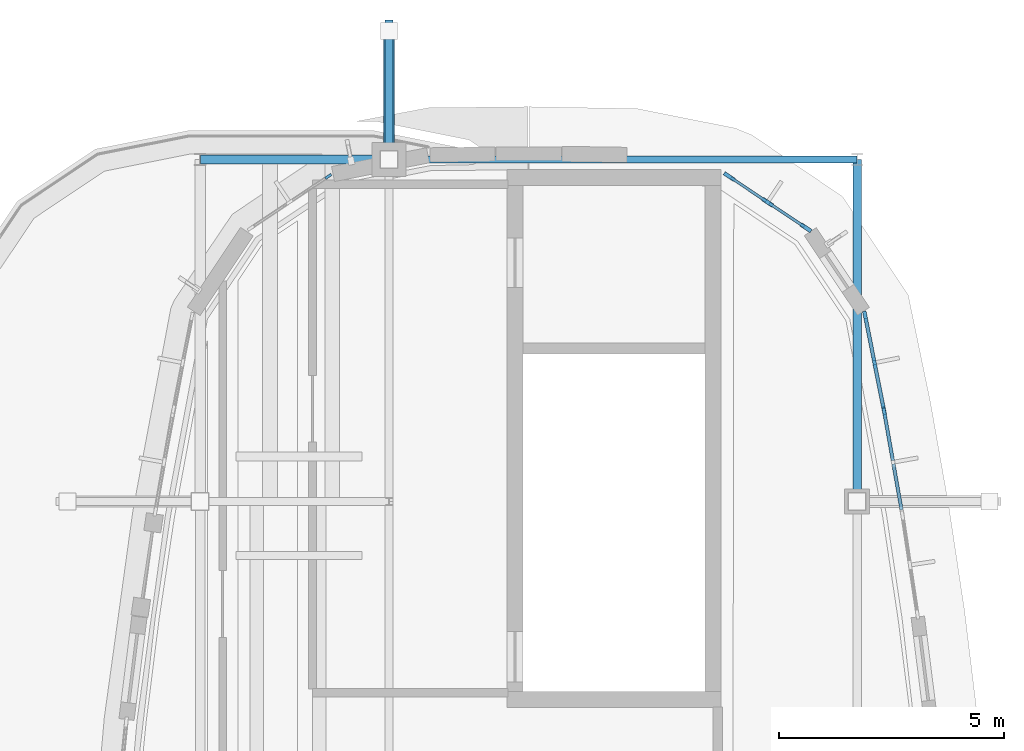
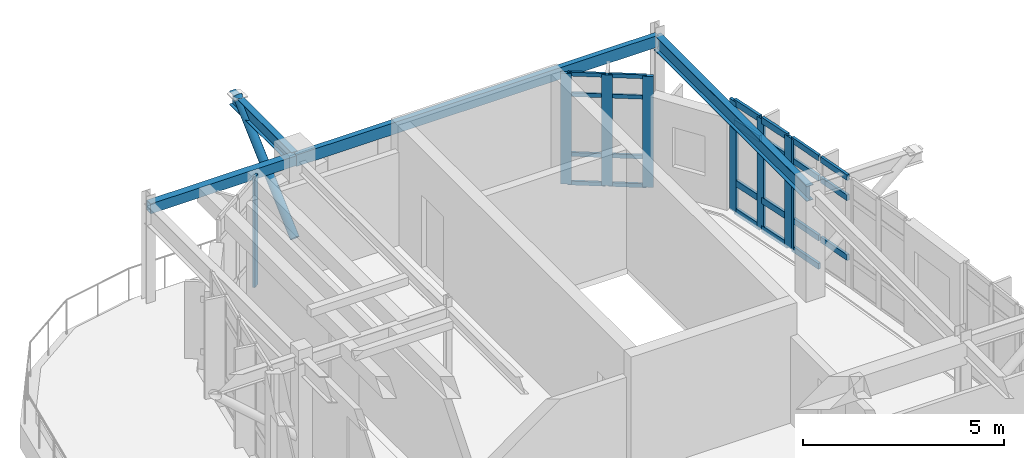
# One storey, part 11 of 20: 32 members, 4 beams, 4 elements without a shape of their own.
"""IFC4 building model written with IfcOpenShell, lengths in metres."""

from ifc_helpers import new_model, si_unit, direction, frame, origin, origin_2d, place, context, subcontext, project, spatial, rectangle, hollow_rectangle, hollow_circle, i_section, extrude, material, material_profile, profile_set, type_object, element, aggregate, save


model = new_model("IFC4")

# Units and contexts
model_context = context("Model", 3, precision=1e-05, world=origin(), true_north=direction((0.0, 1.0)))
body_context = subcontext(model_context, "Body", "Model", "MODEL_VIEW")
ifc_project = project(units=[si_unit("LENGTHUNIT", "METRE"), si_unit("AREAUNIT", "SQUARE_METRE"), si_unit("VOLUMEUNIT", "CUBIC_METRE"), si_unit("PLANEANGLEUNIT", "RADIAN"), si_unit("MASSUNIT", "GRAM", prefix="KILO")], contexts=[model_context])

# Site, building, storey
site_placement = place(None, origin())
site = spatial("IfcSite", under=ifc_project, at=site_placement, CompositionType="ELEMENT")
building_placement = place(site_placement, origin())
building = spatial("IfcBuilding", under=site, at=building_placement, Name="Corveleigh Park Community Centre", CompositionType="ELEMENT")
storey_placement = place(building_placement, frame((0.0, 0.0, 19.800048828125)))
storey = spatial("IfcBuildingStorey", under=building, at=storey_placement, Name="L05", CompositionType="ELEMENT", Elevation=19.800048828125)

# Beams
ifc_material_1 = material(Name="Steel S355", Category="steel")
ifc_material_profile_1 = material_profile(ifc_material_1, i_section(OverallWidth=0.1787109375, OverallDepth=0.409423828125, WebThickness=0.0087890625, FlangeThickness=0.014404296875, at=origin_2d()), Name="UKB 406x178x67", Category="steel")
ifc_profile_set_1 = profile_set([ifc_material_profile_1], Name="Steel S355")
beam_type_1 = type_object("IfcBeamType", Name="BM-STL-UKB406x67", PredefinedType="BEAM", material=ifc_profile_set_1)
beam_1_placement = place(storey_placement, frame((158.0, 104.2099609375, 3.1591796875), z_axis=(0.0, 1.0, 0.0), x_axis=(-1.0, 0.0, 0.0)))
element("IfcBeam", 1, at=beam_1_placement, inside=storey, type_object=beam_type_1, Name="V4 Crown End Overhang Strut X6Y6 Outrigger", PredefinedType="BEAM", context=body_context, shape_type="SweptSolid", body=[
    extrude(i_section(OverallWidth=0.1787109375, OverallDepth=0.409423828125, WebThickness=0.0087890625, FlangeThickness=0.014404296875, at=origin_2d()), origin(), (0.0, 0.0, 1.0), 3.090087890625),
])
ifc_material_profile_2 = material_profile(ifc_material_1, i_section(OverallWidth=0.19140625, OverallDepth=0.4599609375, WebThickness=0.010009765625, FlangeThickness=0.01611328125, at=origin_2d()), Name="UKB 457x191x82", Category="steel")
ifc_profile_set_2 = profile_set([ifc_material_profile_2], Name="Steel S355")
beam_type_2 = type_object("IfcBeamType", Name="BM-STL-UKB457x82", PredefinedType="BEAM", material=ifc_profile_set_2)
beam_2_placement = place(storey_placement, frame((168.39990234375, 96.60498046875, 3.08203125), z_axis=(0.0, 1.0, 0.0), x_axis=(-1.0, 0.0, 0.0)))
element("IfcBeam", 2, at=beam_2_placement, inside=storey, type_object=beam_type_2, Name="V4 Girder Y", PredefinedType="BEAM", context=body_context, shape_type="SweptSolid", body=[
    extrude(i_section(OverallWidth=0.19140625, OverallDepth=0.4599609375, WebThickness=0.010009765625, FlangeThickness=0.01611328125, at=origin_2d()), origin(), (0.0, 0.0, 1.0), 7.590087890625),
])

# Curtain wall, member
ifc_material_2 = material(Name="Anodised aluminium 6063-T6", Category="aluminium")
curtain_wall_type = type_object("IfcCurtainWallType", Name="CW-SYS-V4-L03", PredefinedType="NOTDEFINED", material=ifc_material_2)
curtain_wall_1_placement = place(storey_placement, origin())
curtain_wall_1 = element("IfcCurtainWall", 3, at=curtain_wall_1_placement, inside=storey, type_object=curtain_wall_type, Name="V4 L05 Curtain Wall 487", PredefinedType="NOTDEFINED")
ifc_material_profile_3 = material_profile(ifc_material_2, rectangle(XDim=0.06005859375, YDim=0.159912109375, at=origin_2d()), Name="ALU-M60x160", Category="aluminium")
ifc_profile_set_3 = profile_set([ifc_material_profile_3], Name="Anodised aluminium 6063-T6")
member_type_1 = type_object("IfcMemberType", Name="CWM-60x160", PredefinedType="MULLION", material=ifc_profile_set_3)
member_1_placement = place(storey_placement, frame((156.649169921875, 103.825439453125, 0.0), z_axis=(0.0, 0.0, 1.0), x_axis=(-0.555458443376, 0.831544296886, 0.0)))
member_1 = element("IfcMember", 4, at=member_1_placement, type_object=member_type_1, Name="CW09 mullion 3", PredefinedType="MULLION", context=body_context, shape_type="SweptSolid", body=[
    extrude(rectangle(XDim=0.06005859375, YDim=0.159912109375, at=origin_2d()), origin(), (0.0, 0.0, 1.0), 3.364013671875),
])
aggregate(curtain_wall_1, [member_1])

curtain_wall_2_placement = place(storey_placement, origin())
curtain_wall_2 = element("IfcCurtainWall", 5, at=curtain_wall_2_placement, inside=storey, type_object=curtain_wall_type, Name="V4 L05 Curtain Wall 484", PredefinedType="NOTDEFINED")
ifc_material_profile_4 = material_profile(ifc_material_2, rectangle(XDim=0.074951171875, YDim=0.219970703125, at=origin_2d()), Name="ALU-M75x220", Category="aluminium")
ifc_profile_set_4 = profile_set([ifc_material_profile_4], Name="Anodised aluminium 6063-T6")
member_type_2 = type_object("IfcMemberType", Name="CWM-75x220", PredefinedType="MULLION", material=ifc_profile_set_4)
member_2_placement = place(storey_placement, frame((169.007568359375, 98.567138671875, 0.0), z_axis=(0.0, 0.0, 1.0), x_axis=(0.984735333655, 0.174058388626, 0.0)))
member_2 = element("IfcMember", 6, at=member_2_placement, type_object=member_type_2, Name="CW09 mullion 1", PredefinedType="MULLION", context=body_context, shape_type="SweptSolid", body=[
    extrude(rectangle(XDim=0.074951171875, YDim=0.219970703125, at=origin_2d()), origin(), (0.0, 0.0, 1.0), 3.364013671875),
])

# Curtain wall, members
curtain_wall_3_placement = place(storey_placement, origin())
curtain_wall_3 = element("IfcCurtainWall", 7, at=curtain_wall_3_placement, inside=storey, type_object=curtain_wall_type, Name="V4 L05 Curtain Wall 485", PredefinedType="NOTDEFINED")
ifc_material_profile_5 = material_profile(ifc_material_2, rectangle(XDim=0.080078125, YDim=0.25, at=origin_2d()), Name="ALU-M80x250", Category="aluminium")
ifc_profile_set_5 = profile_set([ifc_material_profile_5], Name="Anodised aluminium 6063-T6")
member_type_3 = type_object("IfcMemberType", Name="CWM-80x250", PredefinedType="MULLION", material=ifc_profile_set_5)
member_3_placement = place(storey_placement, frame((168.583740234375, 100.705810546875, 0.0), z_axis=(0.0, 0.0, 1.0), x_axis=(0.980846064785, 0.194784489103, 0.0)))
member_3 = element("IfcMember", 8, at=member_3_placement, type_object=member_type_3, Name="CW09 mullion 1", PredefinedType="MULLION", context=body_context, shape_type="SweptSolid", body=[
    extrude(rectangle(XDim=0.080078125, YDim=0.25, at=origin_2d()), origin(), (0.0, 0.0, 1.0), 3.364013671875),
])
member_4_placement = place(storey_placement, frame((168.787109375, 99.6826171875, 0.0), z_axis=(0.0, 0.0, 1.0), x_axis=(0.980846064785, 0.194784489103, 0.0)))
member_4 = element("IfcMember", 9, at=member_4_placement, type_object=member_type_3, Name="CW09 mullion 2", PredefinedType="MULLION", context=body_context, shape_type="SweptSolid", body=[
    extrude(rectangle(XDim=0.080078125, YDim=0.25, at=origin_2d()), origin(), (0.0, 0.0, 1.0), 3.364013671875),
])
member_5_placement = place(storey_placement, frame((168.990234375, 98.6591796875, 0.0), z_axis=(0.0, 0.0, 1.0), x_axis=(0.980846064785, 0.194784489103, 0.0)))
member_5 = element("IfcMember", 10, at=member_5_placement, type_object=member_type_3, Name="CW09 mullion 3", PredefinedType="MULLION", context=body_context, shape_type="SweptSolid", body=[
    extrude(rectangle(XDim=0.080078125, YDim=0.25, at=origin_2d()), origin(), (0.0, 0.0, 1.0), 3.364013671875),
])

curtain_wall_4_placement = place(storey_placement, origin())
curtain_wall_4 = element("IfcCurtainWall", 11, at=curtain_wall_4_placement, inside=storey, type_object=curtain_wall_type, Name="V4 L05 Curtain Wall 486", PredefinedType="NOTDEFINED")
ifc_material_profile_6 = material_profile(ifc_material_2, rectangle(XDim=0.0849609375, YDim=0.27490234375, at=origin_2d()), Name="ALU-M85x275", Category="aluminium")
ifc_profile_set_6 = profile_set([ifc_material_profile_6], Name="Anodised aluminium 6063-T6")
member_type_4 = type_object("IfcMemberType", Name="CWM-85x275", PredefinedType="MULLION", material=ifc_profile_set_6)
member_6_placement = place(storey_placement, frame((165.561279296875, 103.818359375, 0.0), z_axis=(0.0, 0.0, 1.0), x_axis=(0.555458443376, 0.831544296886, 0.0)))
member_6 = element("IfcMember", 12, at=member_6_placement, type_object=member_type_4, Name="CW09 mullion 1", PredefinedType="MULLION", context=body_context, shape_type="SweptSolid", body=[
    extrude(rectangle(XDim=0.0849609375, YDim=0.27490234375, at=origin_2d()), origin(), (0.0, 0.0, 1.0), 3.364013671875),
])
member_7_placement = place(storey_placement, frame((166.41162109375, 103.25048828125, 0.0), z_axis=(0.0, 0.0, 1.0), x_axis=(0.555458443376, 0.831544296886, 0.0)))
member_7 = element("IfcMember", 13, at=member_7_placement, type_object=member_type_4, Name="CW09 mullion 2", PredefinedType="MULLION", context=body_context, shape_type="SweptSolid", body=[
    extrude(rectangle(XDim=0.0849609375, YDim=0.27490234375, at=origin_2d()), origin(), (0.0, 0.0, 1.0), 3.364013671875),
])
member_8_placement = place(storey_placement, frame((167.26171875, 102.6826171875, 0.0), z_axis=(0.0, 0.0, 1.0), x_axis=(0.555458443376, 0.831544296886, 0.0)))
member_8 = element("IfcMember", 14, at=member_8_placement, type_object=member_type_4, Name="CW09 mullion 3", PredefinedType="MULLION", context=body_context, shape_type="SweptSolid", body=[
    extrude(rectangle(XDim=0.0849609375, YDim=0.27490234375, at=origin_2d()), origin(), (0.0, 0.0, 1.0), 3.364013671875),
])
ifc_material_profile_7 = material_profile(ifc_material_2, rectangle(XDim=0.06005859375, YDim=0.1201171875, at=origin_2d()), Name="ALU-T60x120", Category="aluminium")
ifc_profile_set_7 = profile_set([ifc_material_profile_7], Name="Anodised aluminium 6063-T6")
member_type_5 = type_object("IfcMemberType", Name="CWT-60x120", PredefinedType="USERDEFINED", material=ifc_profile_set_7)
member_9_placement = place(storey_placement, frame((165.5966796875, 103.794677734375, 0.030029296875), z_axis=(0.831649369262, -0.555301113457, 0.0), x_axis=(0.555301113457, 0.831649369262, 0.0)))
member_9 = element("IfcMember", 15, at=member_9_placement, type_object=member_type_5, Name="CW09 transom 1.1", ObjectType="TRANSOM", PredefinedType="USERDEFINED", context=body_context, shape_type="SweptSolid", body=[
    extrude(rectangle(XDim=0.06005859375, YDim=0.1201171875, at=origin_2d()), origin(), (0.0, 0.0, 1.0), 0.937255859375),
])
member_10_placement = place(storey_placement, frame((165.5966796875, 103.794677734375, 0.89990234375), z_axis=(0.831649369262, -0.555301113457, 0.0), x_axis=(0.555301113457, 0.831649369262, 0.0)))
member_10 = element("IfcMember", 16, at=member_10_placement, type_object=member_type_5, Name="CW09 transom 1.2", ObjectType="TRANSOM", PredefinedType="USERDEFINED", context=body_context, shape_type="SweptSolid", body=[
    extrude(rectangle(XDim=0.06005859375, YDim=0.1201171875, at=origin_2d()), origin(), (0.0, 0.0, 1.0), 0.937255859375),
])
member_11_placement = place(storey_placement, frame((165.5966796875, 103.794677734375, 2.7138671875), z_axis=(0.831649369262, -0.555301113457, 0.0), x_axis=(0.555301113457, 0.831649369262, 0.0)))
member_11 = element("IfcMember", 17, at=member_11_placement, type_object=member_type_5, Name="CW09 transom 1.3", ObjectType="TRANSOM", PredefinedType="USERDEFINED", context=body_context, shape_type="SweptSolid", body=[
    extrude(rectangle(XDim=0.06005859375, YDim=0.1201171875, at=origin_2d()), origin(), (0.0, 0.0, 1.0), 0.937255859375),
])
member_12_placement = place(storey_placement, frame((165.5966796875, 103.794677734375, 3.333984375), z_axis=(0.831649369262, -0.555301113457, 0.0), x_axis=(0.555301113457, 0.831649369262, 0.0)))
member_12 = element("IfcMember", 18, at=member_12_placement, type_object=member_type_5, Name="CW09 transom 1.4", ObjectType="TRANSOM", PredefinedType="USERDEFINED", context=body_context, shape_type="SweptSolid", body=[
    extrude(rectangle(XDim=0.06005859375, YDim=0.1201171875, at=origin_2d()), origin(), (0.0, 0.0, 1.0), 0.937255859375),
])
member_13_placement = place(storey_placement, frame((166.44677734375, 103.226806640625, 0.030029296875), z_axis=(0.831649369262, -0.555301113457, 0.0), x_axis=(0.555301113457, 0.831649369262, 0.0)))
member_13 = element("IfcMember", 19, at=member_13_placement, type_object=member_type_5, Name="CW09 transom 2.1", ObjectType="TRANSOM", PredefinedType="USERDEFINED", context=body_context, shape_type="SweptSolid", body=[
    extrude(rectangle(XDim=0.06005859375, YDim=0.1201171875, at=origin_2d()), origin(), (0.0, 0.0, 1.0), 0.937255859375),
])
member_14_placement = place(storey_placement, frame((166.44677734375, 103.226806640625, 0.89990234375), z_axis=(0.831649369262, -0.555301113457, 0.0), x_axis=(0.555301113457, 0.831649369262, 0.0)))
member_14 = element("IfcMember", 20, at=member_14_placement, type_object=member_type_5, Name="CW09 transom 2.2", ObjectType="TRANSOM", PredefinedType="USERDEFINED", context=body_context, shape_type="SweptSolid", body=[
    extrude(rectangle(XDim=0.06005859375, YDim=0.1201171875, at=origin_2d()), origin(), (0.0, 0.0, 1.0), 0.937255859375),
])
member_15_placement = place(storey_placement, frame((166.44677734375, 103.226806640625, 2.7138671875), z_axis=(0.831649369262, -0.555301113457, 0.0), x_axis=(0.555301113457, 0.831649369262, 0.0)))
member_15 = element("IfcMember", 21, at=member_15_placement, type_object=member_type_5, Name="CW09 transom 2.3", ObjectType="TRANSOM", PredefinedType="USERDEFINED", context=body_context, shape_type="SweptSolid", body=[
    extrude(rectangle(XDim=0.06005859375, YDim=0.1201171875, at=origin_2d()), origin(), (0.0, 0.0, 1.0), 0.937255859375),
])
member_16_placement = place(storey_placement, frame((166.44677734375, 103.226806640625, 3.333984375), z_axis=(0.831649369262, -0.555301113457, 0.0), x_axis=(0.555301113457, 0.831649369262, 0.0)))
member_16 = element("IfcMember", 22, at=member_16_placement, type_object=member_type_5, Name="CW09 transom 2.4", ObjectType="TRANSOM", PredefinedType="USERDEFINED", context=body_context, shape_type="SweptSolid", body=[
    extrude(rectangle(XDim=0.06005859375, YDim=0.1201171875, at=origin_2d()), origin(), (0.0, 0.0, 1.0), 0.937255859375),
])
aggregate(curtain_wall_4, [member_6, member_7, member_8, member_9, member_10, member_11, member_12, member_13, member_14, member_15, member_16])

# Member
ifc_material_profile_8 = material_profile(ifc_material_2, rectangle(XDim=0.074951171875, YDim=0.175048828125, at=origin_2d()), Name="ALU-T75x175", Category="aluminium")
ifc_profile_set_8 = profile_set([ifc_material_profile_8], Name="Anodised aluminium 6063-T6")
member_type_6 = type_object("IfcMemberType", Name="CWT-75x175", PredefinedType="USERDEFINED", material=ifc_profile_set_8)
member_17_placement = place(storey_placement, frame((169.01416015625, 98.530029296875, 0.037353515625), z_axis=(0.174094426714, -0.984728963008, 0.0), x_axis=(0.984728963008, 0.174094426714, 0.0)))
member_17 = element("IfcMember", 23, at=member_17_placement, type_object=member_type_6, Name="CW09 transom 1.1", ObjectType="TRANSOM", PredefinedType="USERDEFINED", context=body_context, shape_type="SweptSolid", body=[
    extrude(rectangle(XDim=0.074951171875, YDim=0.175048828125, at=origin_2d()), origin(), (0.0, 0.0, 1.0), 1.036376953125),
])

member_18_placement = place(storey_placement, frame((169.01416015625, 98.530029296875, 0.89990234375), z_axis=(0.174094426714, -0.984728963008, 0.0), x_axis=(0.984728963008, 0.174094426714, 0.0)))
member_18 = element("IfcMember", 24, at=member_18_placement, type_object=member_type_6, Name="CW09 transom 1.2", ObjectType="TRANSOM", PredefinedType="USERDEFINED", context=body_context, shape_type="SweptSolid", body=[
    extrude(rectangle(XDim=0.074951171875, YDim=0.175048828125, at=origin_2d()), origin(), (0.0, 0.0, 1.0), 1.036376953125),
])

member_19_placement = place(storey_placement, frame((169.01416015625, 98.530029296875, 2.7138671875), z_axis=(0.174094426714, -0.984728963008, 0.0), x_axis=(0.984728963008, 0.174094426714, 0.0)))
member_19 = element("IfcMember", 25, at=member_19_placement, type_object=member_type_6, Name="CW09 transom 1.3", ObjectType="TRANSOM", PredefinedType="USERDEFINED", context=body_context, shape_type="SweptSolid", body=[
    extrude(rectangle(XDim=0.074951171875, YDim=0.175048828125, at=origin_2d()), origin(), (0.0, 0.0, 1.0), 1.036376953125),
])

member_20_placement = place(storey_placement, frame((169.01416015625, 98.530029296875, 3.326416015625), z_axis=(0.174094426714, -0.984728963008, 0.0), x_axis=(0.984728963008, 0.174094426714, 0.0)))
member_20 = element("IfcMember", 26, at=member_20_placement, type_object=member_type_6, Name="CW09 transom 1.4", ObjectType="TRANSOM", PredefinedType="USERDEFINED", context=body_context, shape_type="SweptSolid", body=[
    extrude(rectangle(XDim=0.074951171875, YDim=0.175048828125, at=origin_2d()), origin(), (0.0, 0.0, 1.0), 1.036376953125),
])

member_21_placement = place(storey_placement, frame((169.20751953125, 97.435546875, 0.89990234375), z_axis=(0.174054048896, -0.984736100721, 0.0), x_axis=(0.984736100721, 0.174054048896, 0.0)))
member_21 = element("IfcMember", 27, at=member_21_placement, type_object=member_type_6, Name="CW09 transom 2.2", ObjectType="TRANSOM", PredefinedType="USERDEFINED", context=body_context, shape_type="SweptSolid", body=[
    extrude(rectangle(XDim=0.074951171875, YDim=0.175048828125, at=origin_2d()), origin(), (0.0, 0.0, 1.0), 1.03662109375),
])

member_22_placement = place(storey_placement, frame((169.20751953125, 97.435546875, 2.7138671875), z_axis=(0.174054048896, -0.984736100721, 0.0), x_axis=(0.984736100721, 0.174054048896, 0.0)))
member_22 = element("IfcMember", 28, at=member_22_placement, type_object=member_type_6, Name="CW09 transom 2.3", ObjectType="TRANSOM", PredefinedType="USERDEFINED", context=body_context, shape_type="SweptSolid", body=[
    extrude(rectangle(XDim=0.074951171875, YDim=0.175048828125, at=origin_2d()), origin(), (0.0, 0.0, 1.0), 1.03662109375),
])

member_23_placement = place(storey_placement, frame((169.20751953125, 97.435546875, 3.326416015625), z_axis=(0.174054048896, -0.984736100721, 0.0), x_axis=(0.984736100721, 0.174054048896, 0.0)))
member_23 = element("IfcMember", 29, at=member_23_placement, type_object=member_type_6, Name="CW09 transom 2.4", ObjectType="TRANSOM", PredefinedType="USERDEFINED", context=body_context, shape_type="SweptSolid", body=[
    extrude(rectangle(XDim=0.074951171875, YDim=0.175048828125, at=origin_2d()), origin(), (0.0, 0.0, 1.0), 1.03662109375),
])

aggregate(curtain_wall_2, [member_2, member_17, member_18, member_19, member_20, member_21, member_22, member_23])

ifc_material_profile_9 = material_profile(ifc_material_2, rectangle(XDim=0.080078125, YDim=0.195068359375, at=origin_2d()), Name="ALU-T80x195", Category="aluminium")
ifc_profile_set_9 = profile_set([ifc_material_profile_9], Name="Anodised aluminium 6063-T6")
member_type_7 = type_object("IfcMemberType", Name="CWT-80x195", PredefinedType="USERDEFINED", material=ifc_profile_set_9)
member_24_placement = place(storey_placement, frame((168.591552734375, 100.66650390625, 0.0400390625), z_axis=(0.194897508758, -0.980823613643, 0.0), x_axis=(0.980823613643, 0.194897508758, 0.0)))
member_24 = element("IfcMember", 30, at=member_24_placement, type_object=member_type_7, Name="CW09 transom 1.1", ObjectType="TRANSOM", PredefinedType="USERDEFINED", context=body_context, shape_type="SweptSolid", body=[
    extrude(rectangle(XDim=0.080078125, YDim=0.195068359375, at=origin_2d()), origin(), (0.0, 0.0, 1.0), 0.96337890625),
])

member_25_placement = place(storey_placement, frame((168.591552734375, 100.66650390625, 0.89990234375), z_axis=(0.194897508758, -0.980823613643, 0.0), x_axis=(0.980823613643, 0.194897508758, 0.0)))
member_25 = element("IfcMember", 31, at=member_25_placement, type_object=member_type_7, Name="CW09 transom 1.2", ObjectType="TRANSOM", PredefinedType="USERDEFINED", context=body_context, shape_type="SweptSolid", body=[
    extrude(rectangle(XDim=0.080078125, YDim=0.195068359375, at=origin_2d()), origin(), (0.0, 0.0, 1.0), 0.96337890625),
])

member_26_placement = place(storey_placement, frame((168.591552734375, 100.66650390625, 2.7138671875), z_axis=(0.194897508758, -0.980823613643, 0.0), x_axis=(0.980823613643, 0.194897508758, 0.0)))
member_26 = element("IfcMember", 32, at=member_26_placement, type_object=member_type_7, Name="CW09 transom 1.3", ObjectType="TRANSOM", PredefinedType="USERDEFINED", context=body_context, shape_type="SweptSolid", body=[
    extrude(rectangle(XDim=0.080078125, YDim=0.195068359375, at=origin_2d()), origin(), (0.0, 0.0, 1.0), 0.96337890625),
])

member_27_placement = place(storey_placement, frame((168.591552734375, 100.66650390625, 3.323974609375), z_axis=(0.194897508758, -0.980823613643, 0.0), x_axis=(0.980823613643, 0.194897508758, 0.0)))
member_27 = element("IfcMember", 33, at=member_27_placement, type_object=member_type_7, Name="CW09 transom 1.4", ObjectType="TRANSOM", PredefinedType="USERDEFINED", context=body_context, shape_type="SweptSolid", body=[
    extrude(rectangle(XDim=0.080078125, YDim=0.195068359375, at=origin_2d()), origin(), (0.0, 0.0, 1.0), 0.96337890625),
])

member_28_placement = place(storey_placement, frame((168.794677734375, 99.643310546875, 0.0400390625), z_axis=(0.194897508758, -0.980823613643, 0.0), x_axis=(0.980823613643, 0.194897508758, 0.0)))
member_28 = element("IfcMember", 34, at=member_28_placement, type_object=member_type_7, Name="CW09 transom 2.1", ObjectType="TRANSOM", PredefinedType="USERDEFINED", context=body_context, shape_type="SweptSolid", body=[
    extrude(rectangle(XDim=0.080078125, YDim=0.195068359375, at=origin_2d()), origin(), (0.0, 0.0, 1.0), 0.96337890625),
])

member_29_placement = place(storey_placement, frame((168.794677734375, 99.643310546875, 0.89990234375), z_axis=(0.194897508758, -0.980823613643, 0.0), x_axis=(0.980823613643, 0.194897508758, 0.0)))
member_29 = element("IfcMember", 35, at=member_29_placement, type_object=member_type_7, Name="CW09 transom 2.2", ObjectType="TRANSOM", PredefinedType="USERDEFINED", context=body_context, shape_type="SweptSolid", body=[
    extrude(rectangle(XDim=0.080078125, YDim=0.195068359375, at=origin_2d()), origin(), (0.0, 0.0, 1.0), 0.96337890625),
])

member_30_placement = place(storey_placement, frame((168.794677734375, 99.643310546875, 2.7138671875), z_axis=(0.194897508758, -0.980823613643, 0.0), x_axis=(0.980823613643, 0.194897508758, 0.0)))
member_30 = element("IfcMember", 36, at=member_30_placement, type_object=member_type_7, Name="CW09 transom 2.3", ObjectType="TRANSOM", PredefinedType="USERDEFINED", context=body_context, shape_type="SweptSolid", body=[
    extrude(rectangle(XDim=0.080078125, YDim=0.195068359375, at=origin_2d()), origin(), (0.0, 0.0, 1.0), 0.96337890625),
])

member_31_placement = place(storey_placement, frame((168.794677734375, 99.643310546875, 3.323974609375), z_axis=(0.194897508758, -0.980823613643, 0.0), x_axis=(0.980823613643, 0.194897508758, 0.0)))
member_31 = element("IfcMember", 37, at=member_31_placement, type_object=member_type_7, Name="CW09 transom 2.4", ObjectType="TRANSOM", PredefinedType="USERDEFINED", context=body_context, shape_type="SweptSolid", body=[
    extrude(rectangle(XDim=0.080078125, YDim=0.195068359375, at=origin_2d()), origin(), (0.0, 0.0, 1.0), 0.96337890625),
])

aggregate(curtain_wall_3, [member_3, member_4, member_5, member_24, member_25, member_26, member_27, member_28, member_29, member_30, member_31])

ifc_material_profile_10 = material_profile(ifc_material_1, hollow_circle(Radius=0.122314453125, WallThickness=0.012451171875, at=origin_2d()), Name="CHS 244.5x12.5", Category="steel")
ifc_profile_set_10 = profile_set([ifc_material_profile_10], Name="Steel S355")
member_type_8 = type_object("IfcMemberType", Name="MEM-STR-CHS245", PredefinedType="STRUT", material=ifc_profile_set_10)
member_32_placement = place(storey_placement, frame((158.0, 104.199951171875, 0.75), z_axis=(0.0, 0.738113313512, 0.674676764396), x_axis=(-1.0, 0.0, 0.0)))
element("IfcMember", 38, at=member_32_placement, inside=storey, type_object=member_type_8, Name="V4 Crown End Overhang Strut X6Y6", PredefinedType="STRUT", context=body_context, shape_type="SweptSolid", body=[
    extrude(hollow_circle(Radius=0.122314453125, WallThickness=0.012451171875, at=origin_2d()), origin(), (0.0, 0.0, 1.0), 3.864013671875),
])

# Beams
ifc_material_profile_11 = material_profile(ifc_material_1, hollow_rectangle(XDim=0.199951171875, YDim=0.300048828125, WallThickness=0.012451171875, at=origin_2d()), Name="RHS 300x200x12.5", Category="steel")
ifc_profile_set_11 = profile_set([ifc_material_profile_11], Name="Steel S355")
beam_type_3 = type_object("IfcBeamType", Name="SP-STL-RHS300x200", PredefinedType="SPANDREL", material=ifc_profile_set_11)
beam_3_placement = place(storey_placement, frame((153.804931640625, 104.199951171875, 3.161865234375), z_axis=(1.0, 0.0, 0.0), x_axis=(0.0, 1.0, 0.0)))
element("IfcBeam", 39, at=beam_3_placement, inside=storey, type_object=beam_type_3, Name="V4 Girder X", PredefinedType="SPANDREL", context=body_context, shape_type="SweptSolid", body=[
    extrude(hollow_rectangle(XDim=0.199951171875, YDim=0.300048828125, WallThickness=0.012451171875, at=origin_2d()), origin(), (0.0, 0.0, 1.0), 4.190185546875),
])
ifc_material_profile_12 = material_profile(ifc_material_1, hollow_rectangle(XDim=0.14990234375, YDim=0.35009765625, WallThickness=0.012451171875, at=origin_2d()), Name="RHS 350x150x12.5", Category="steel")
ifc_profile_set_12 = profile_set([ifc_material_profile_12], Name="Steel S355")
beam_type_4 = type_object("IfcBeamType", Name="SP-STL-RHS350x150", PredefinedType="SPANDREL", material=ifc_profile_set_12)
beam_4_placement = place(storey_placement, frame((158.0048828125, 104.199951171875, 3.136962890625), z_axis=(1.0, 0.0, 0.0), x_axis=(0.0, 1.0, 0.0)))
element("IfcBeam", 40, at=beam_4_placement, inside=storey, type_object=beam_type_4, Name="V4 Girder X", PredefinedType="SPANDREL", context=body_context, shape_type="SweptSolid", body=[
    extrude(hollow_rectangle(XDim=0.14990234375, YDim=0.35009765625, WallThickness=0.012451171875, at=origin_2d()), origin(), (0.0, 0.0, 1.0), 10.39013671875),
])

save(model, "model.ifc")
